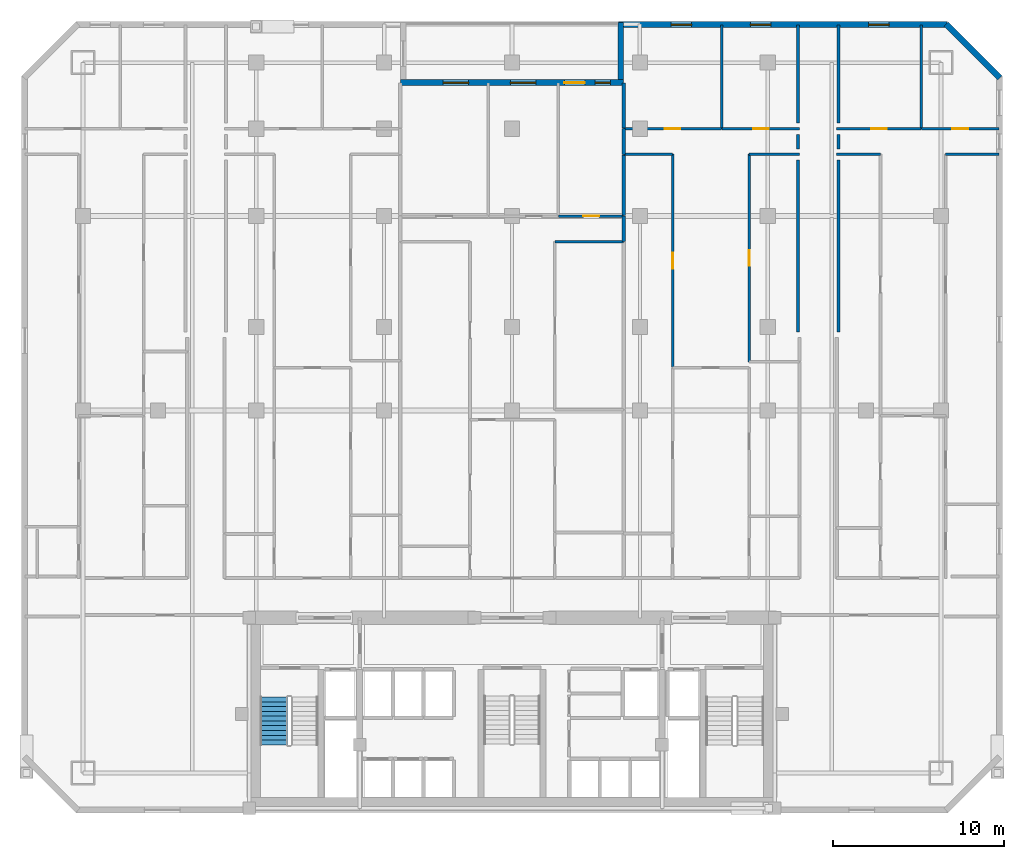
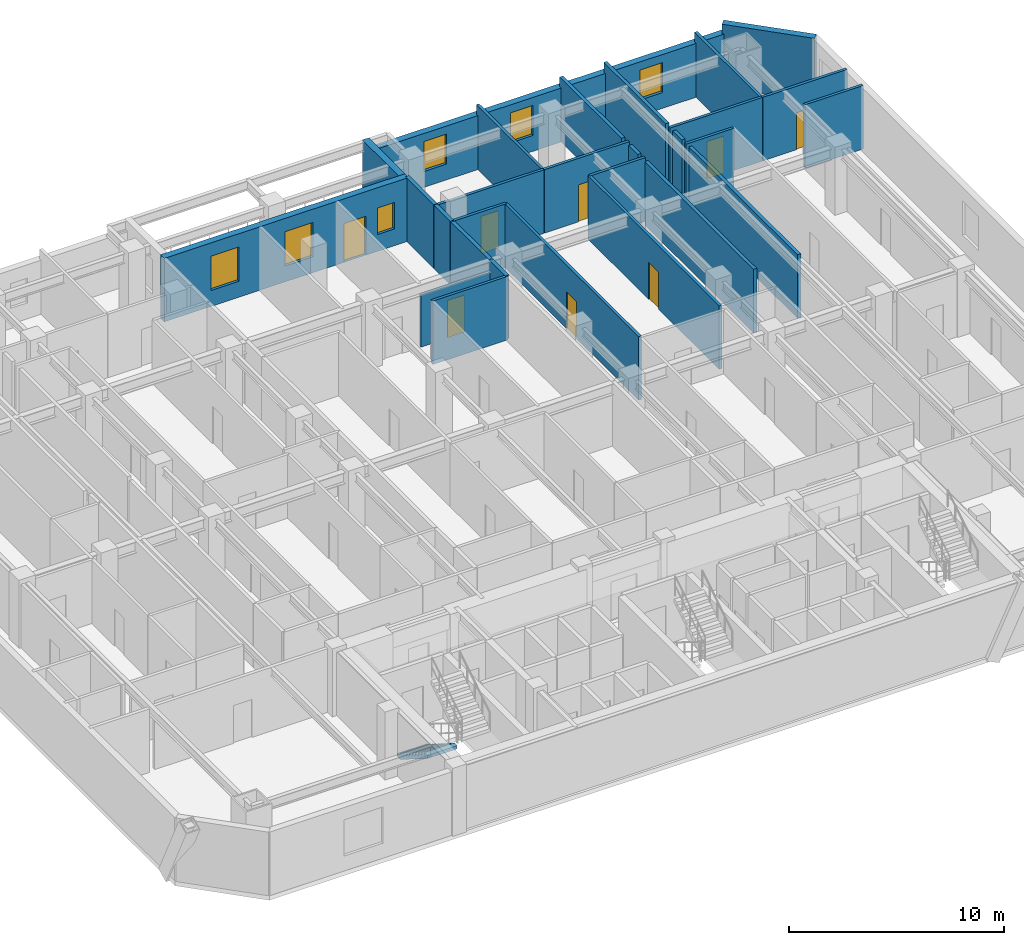
# One storey, part 8 of 10: 28 walls, 8 doors, 6 windows, 1 stair flight, 14 openings, 1 element without a shape of its own.
"""IFC4 building model written with IfcOpenShell, lengths in metres."""

import ifcopenshell
import ifcopenshell.guid

model = None  # the IFC model being written
_history = None  # IfcOwnerHistory: only IFC2X3 demands one
_inside = {}  # id of a spatial element -> (the spatial element, [elements in it])
_under = {}  # id of a project, library or spatial element -> (it, [spatial elements below it])
_declared = {}  # id of a project -> (the project, [libraries it declares])
_typed = {}  # id of a type object -> (the type object, [elements of that type])
_made_of = {}  # id of a material, layer set ... -> (it, [elements and type objects made of it])


def new_model(schema):
    """Start an empty IFC model of exactly this schema.

    Asked for "IFC4X3", IfcOpenShell would pick the latest addendum, in which some entities
    have other attributes; the version numbers below select the first issue.
    IFC2X3 requires an IfcOwnerHistory on every rooted entity: one is made here for all.
    """
    global model, _history
    if schema == "IFC4X3":
        model = ifcopenshell.file(schema_version=(4, 3, 0, 0))
    else:
        model = ifcopenshell.file(schema=schema)
    _inside.clear()
    _under.clear()
    _declared.clear()
    _typed.clear()
    _made_of.clear()
    _history = None
    if model.schema == "IFC2X3":
        org = make("IfcOrganization", Name="unknown")
        user = make(
            "IfcPersonAndOrganization",
            ThePerson=make("IfcPerson", FamilyName="unknown"),
            TheOrganization=org,
        )
        app = make(
            "IfcApplication",
            ApplicationDeveloper=org,
            Version="unknown",
            ApplicationFullName="unknown",
            ApplicationIdentifier="unknown",
        )
        _history = make(
            "IfcOwnerHistory",
            OwningUser=user,
            OwningApplication=app,
            ChangeAction="ADDED",
            CreationDate=0,
        )
    return model


def make(cls, **values):
    """One entity of the class cls with the attributes given. An attribute that is None is left unset."""
    return model.create_entity(
        cls, **{name: value for name, value in values.items() if value is not None}
    )


def rooted(cls, **values):
    """An entity with a GlobalId (a new one), such as an element, a storey or a relation."""
    return make(cls, GlobalId=ifcopenshell.guid.new(), OwnerHistory=_history, **values)


def si_unit(unit_type, name, prefix=None):
    """IfcSIUnit, for example si_unit("LENGTHUNIT", "METRE", prefix="MILLI")."""
    return make("IfcSIUnit", UnitType=unit_type, Prefix=prefix, Name=name)


def assignment(units):
    """IfcUnitAssignment: the units of a project."""
    return None if units is None else make("IfcUnitAssignment", Units=units)


def point(xyz):
    """IfcCartesianPoint."""
    return None if xyz is None else make("IfcCartesianPoint", Coordinates=xyz)


def direction(xyz):
    """IfcDirection."""
    return None if xyz is None else make("IfcDirection", DirectionRatios=xyz)


def frame(location, z_axis=None, x_axis=None):
    """IfcAxis2Placement3D, a coordinate frame: its origin and axes. An axis left out is left unset."""
    return make(
        "IfcAxis2Placement3D",
        Location=point(location),
        Axis=direction(z_axis),
        RefDirection=direction(x_axis),
    )


def frame_2d(location, x_axis=None):
    """IfcAxis2Placement2D, a coordinate frame in the plane: its origin and x axis."""
    return make(
        "IfcAxis2Placement2D", Location=point(location), RefDirection=direction(x_axis)
    )


def origin():
    """The frame at (0, 0, 0) with its axes left unset."""
    return frame((0.0, 0.0, 0.0))


def place(relative_to, where):
    """IfcLocalPlacement: puts the frame where relative to a parent placement (None: the world)."""
    return make(
        "IfcLocalPlacement", PlacementRelTo=relative_to, RelativePlacement=where
    )


def context(
    kind, dimensions, precision=None, world=None, true_north=None, identifier=None
):
    """IfcGeometricRepresentationContext, for example the 3D "Model" context."""
    return make(
        "IfcGeometricRepresentationContext",
        ContextIdentifier=identifier,
        ContextType=kind,
        CoordinateSpaceDimension=dimensions,
        Precision=precision,
        WorldCoordinateSystem=world,
        TrueNorth=true_north,
    )


def subcontext(parent, identifier, kind, view, scale=None):
    """IfcGeometricRepresentationSubContext, for example "Body" below "Model"."""
    return make(
        "IfcGeometricRepresentationSubContext",
        ContextIdentifier=identifier,
        ContextType=kind,
        ParentContext=parent,
        TargetScale=scale,
        TargetView=view,
    )


def project(units=None, contexts=None):
    """IfcProject with its units and contexts."""
    return rooted(
        "IfcProject",
        Name="project",
        RepresentationContexts=contexts,
        UnitsInContext=assignment(units),
    )


def spatial(cls, under=None, at=None, **own):
    """A site, building, storey or space (cls), placed at a placement, below another one or the project."""
    s = rooted(cls, ObjectPlacement=at, **own)
    if under is not None:
        _under.setdefault(under.id(), (under, []))[1].append(s)
    return s


def polyline(points):
    """IfcPolyline through the points."""
    return make("IfcPolyline", Points=[point(p) for p in points])


def profile(cls, at=None, kind="AREA", **sizes):
    """A parametric profile (cls). Its sizes go by their IFC names, for example OverallWidth=200.0."""
    return make(cls, ProfileType=kind, Position=at, **sizes)


def rectangle(**sizes):
    """IfcRectangleProfileDef."""
    return profile("IfcRectangleProfileDef", **sizes)


def outline(outer, holes=None, kind="AREA"):
    """IfcArbitraryClosedProfileDef: a profile drawn as a closed curve; with holes, ...WithVoids."""
    if holes is None:
        return make("IfcArbitraryClosedProfileDef", ProfileType=kind, OuterCurve=outer)
    return make(
        "IfcArbitraryProfileDefWithVoids",
        ProfileType=kind,
        OuterCurve=outer,
        InnerCurves=holes,
    )


def extrude(swept, where, along, depth):
    """IfcExtrudedAreaSolid: the profile swept, set in the frame where, extruded along a direction by depth."""
    return make(
        "IfcExtrudedAreaSolid",
        SweptArea=swept,
        Position=where,
        ExtrudedDirection=direction(along),
        Depth=depth,
    )


def shape(context_of_items, identifier, shape_type, items):
    """IfcShapeRepresentation: the items that make up one representation, for example the "Body"."""
    return make(
        "IfcShapeRepresentation",
        ContextOfItems=context_of_items,
        RepresentationIdentifier=identifier,
        RepresentationType=shape_type,
        Items=items,
    )


def material(Name=None, Category=None):
    """IfcMaterial."""
    return make("IfcMaterial", Name=Name, Category=Category)


def layer(
    of_material, thickness, ventilated=None, Name=None, Category=None, Priority=None
):
    """IfcMaterialLayer: one layer of a wall or slab, of a material (None: an air gap)."""
    return make(
        "IfcMaterialLayer",
        Material=of_material,
        LayerThickness=thickness,
        IsVentilated=ventilated,
        Name=Name,
        Category=Category,
        Priority=Priority,
    )


def layer_set(layers, Name=None):
    """IfcMaterialLayerSet."""
    return make("IfcMaterialLayerSet", MaterialLayers=layers, LayerSetName=Name)


def made_of(thing, what):
    """Note that an element or type object is made of a material, layer set ...; save() writes the relation."""
    if what is not None:
        _made_of.setdefault(what.id(), (what, []))[1].append(thing)
    return thing


def type_object(cls, material=None, **own):
    """A type object (cls), such as IfcWallType, which elements share."""
    return made_of(rooted(cls, **own), material)


def element(
    cls,
    number,
    at=None,
    inside=None,
    cuts=None,
    type_object=None,
    material=None,
    context=None,
    identifier="Body",
    shape_type=None,
    held_by="IfcProductDefinitionShape",
    body=None,
    shapes=None,
    **own,
):
    """One element of the class cls, such as IfcWall. Its Tag is "e" and its number.

    at: its placement. inside: the storey or other place that contains it. cuts: it is an
    opening in that element (IfcRelVoidsElement). A single representation is given by context,
    identifier, shape_type and body (its items); several are given by shapes. held_by: the class
    of the entity that holds the representations. save() writes the other relations.
    """
    e = rooted(cls, Tag="e%d" % number, ObjectPlacement=at, **own)
    if body is not None:
        shapes = [shape(context, identifier, shape_type, body)]
    if shapes is not None:
        e.Representation = make(held_by, Representations=shapes)
    if inside is not None:
        _inside.setdefault(inside.id(), (inside, []))[1].append(e)
    if cuts is not None:
        rooted(
            "IfcRelVoidsElement", RelatingBuildingElement=cuts, RelatedOpeningElement=e
        )
    if type_object is not None:
        _typed.setdefault(type_object.id(), (type_object, []))[1].append(e)
    return made_of(e, material)


def fill(opening, filler):
    """IfcRelFillsElement: the door or window that sits in an opening."""
    return rooted(
        "IfcRelFillsElement",
        RelatingOpeningElement=opening,
        RelatedBuildingElement=filler,
    )


def aggregate(whole, parts):
    """IfcRelAggregates: a whole, such as a stair, and the parts it consists of."""
    return rooted("IfcRelAggregates", RelatingObject=whole, RelatedObjects=parts)


def save(model, path):
    """Write the relations noted so far, then the file.

    IfcRelAggregates (storeys below a building ...), IfcRelContainedInSpatialStructure (elements
    in a storey), IfcRelDefinesByType, IfcRelAssociatesMaterial and IfcRelDeclares: one each for
    every whole, place, type object, material and project.
    """
    for whole, parts in _under.values():
        aggregate(whole, parts)
    for where, things in _inside.values():
        rooted(
            "IfcRelContainedInSpatialStructure",
            RelatedElements=things,
            RelatingStructure=where,
        )
    for kind, things in _typed.values():
        rooted("IfcRelDefinesByType", RelatedObjects=things, RelatingType=kind)
    for what, things in _made_of.values():
        rooted("IfcRelAssociatesMaterial", RelatedObjects=things, RelatingMaterial=what)
    for by, libraries in _declared.values():
        rooted("IfcRelDeclares", RelatingContext=by, RelatedDefinitions=libraries)
    model.write(path)


model = new_model("IFC4")

# Units and contexts
model_context = context("Model", 3, precision=1e-05, world=origin(), true_north=direction((0.0, 1.0)))
body_context = subcontext(model_context, "Body", "Model", "MODEL_VIEW")
ifc_project = project(units=[si_unit("LENGTHUNIT", "METRE"), si_unit("AREAUNIT", "SQUARE_METRE"), si_unit("VOLUMEUNIT", "CUBIC_METRE"), si_unit("PLANEANGLEUNIT", "RADIAN"), si_unit("MASSUNIT", "GRAM", prefix="KILO")], contexts=[model_context])

# Site, building, storey
site_placement = place(None, origin())
site = spatial("IfcSite", under=ifc_project, at=site_placement, CompositionType="ELEMENT")
building_placement = place(site_placement, origin())
building = spatial("IfcBuilding", under=site, at=building_placement, Name="Ventersveld Concourse Tower", CompositionType="ELEMENT")
storey_placement = place(building_placement, frame((0.0, 0.0, 56.75)))
storey = spatial("IfcBuildingStorey", under=building, at=storey_placement, Name="L13", CompositionType="ELEMENT", Elevation=56.75)

# Walls
ifc_material_1 = material(Name="Fire-rated autoclaved aerated masonry blockwork", Category="masonry")
ifc_layer_1 = layer(ifc_material_1, 0.179931640625)
ifc_layer_set_1 = layer_set([ifc_layer_1], Name="Fire-rated autoclaved aerated masonry blockwork")
wall_type_1 = type_object("IfcWallType", Name="WL-CORR-180", PredefinedType="PARTITIONING", material=ifc_layer_set_1)
wall_1_placement = place(storey_placement, frame((47.8798828125, 38.945068359375, 0.0), z_axis=(0.0, 0.0, 1.0), x_axis=(0.0, 1.0, 0.0)))
element("IfcWall", 1, at=wall_1_placement, inside=storey, type_object=wall_type_1, Name="L13 Room Enclosure Wall SP-L13-13NE-LIV", PredefinedType="PARTITIONING", context=body_context, shape_type="SweptSolid", body=[
    extrude(rectangle(XDim=0.849853515625, YDim=0.179931640625, at=frame_2d((0.4248046875, 0.0))), origin(), (0.0, 0.0, 1.0), 3.60009765625),
])
wall_2_placement = place(storey_placement, frame((47.8798828125, 28.2099609375, 0.0), z_axis=(0.0, 0.0, 1.0), x_axis=(0.0, 1.0, 0.0)))
element("IfcWall", 2, at=wall_2_placement, inside=storey, type_object=wall_type_1, Name="L13 Room Enclosure Wall SP-L13-13NE-SEML0", PredefinedType="PARTITIONING", context=body_context, shape_type="SweptSolid", body=[
    extrude(rectangle(XDim=10.0849609375, YDim=0.179931640625, at=frame_2d((5.04248046875, 0.0))), origin(), (0.0, 0.0, 1.0), 3.60009765625),
])
wall_3_placement = place(storey_placement, frame((47.8798828125, 40.445068359375, 0.0), z_axis=(0.0, 0.0, 1.0), x_axis=(0.0, 1.0, 0.0)))
element("IfcWall", 3, at=wall_3_placement, inside=storey, type_object=wall_type_1, Name="L13 Room Enclosure Wall SP-L13-13NE-BR1", PredefinedType="PARTITIONING", context=body_context, shape_type="SweptSolid", body=[
    extrude(rectangle(XDim=5.744873046875, YDim=0.179931640625, at=frame_2d((2.87255859375, 0.0))), origin(), (0.0, 0.0, 1.0), 3.60009765625),
])
wall_4_placement = place(storey_placement, frame((45.52001953125, 39.794921875, 0.0), z_axis=(0.0, 0.0, 1.0), x_axis=(0.0, -1.0, 0.0)))
element("IfcWall", 4, at=wall_4_placement, inside=storey, type_object=wall_type_1, Name="L13 Room Enclosure Wall SP-L13-13CE-LIV", PredefinedType="PARTITIONING", context=body_context, shape_type="SweptSolid", body=[
    extrude(rectangle(XDim=0.849853515625, YDim=0.179931640625, at=frame_2d((0.4248046875, 0.0))), origin(), (0.0, 0.0, 1.0), 3.60009765625),
])
wall_5_placement = place(storey_placement, frame((45.52001953125, 38.294921875, 0.0), z_axis=(0.0, 0.0, 1.0), x_axis=(0.0, -1.0, 0.0)))
element("IfcWall", 5, at=wall_5_placement, inside=storey, type_object=wall_type_1, Name="L13 Room Enclosure Wall SP-L13-13CE-DENS", PredefinedType="PARTITIONING", context=body_context, shape_type="SweptSolid", body=[
    extrude(rectangle(XDim=10.0849609375, YDim=0.179931640625, at=frame_2d((5.04248046875, 0.0))), origin(), (0.0, 0.0, 1.0), 3.60009765625),
])
wall_6_placement = place(storey_placement, frame((45.52001953125, 46.18994140625, 0.0), z_axis=(0.0, 0.0, 1.0), x_axis=(0.0, -1.0, 0.0)))
element("IfcWall", 6, at=wall_6_placement, inside=storey, type_object=wall_type_1, Name="L13 Room Enclosure Wall SP-L13-13CE-BR2", PredefinedType="PARTITIONING", context=body_context, shape_type="SweptSolid", body=[
    extrude(rectangle(XDim=5.744873046875, YDim=0.179931640625, at=frame_2d((2.87255859375, 0.0))), origin(), (0.0, 0.0, 1.0), 3.60009765625),
])
ifc_layer_2 = layer(ifc_material_1, 0.199951171875)
ifc_layer_set_2 = layer_set([ifc_layer_2], Name="Fire-rated autoclaved aerated masonry blockwork")
wall_type_2 = type_object("IfcWallType", Name="WL-DEMISE-200", PredefinedType="PARTITIONING", material=ifc_layer_set_2)
wall_7_placement = place(storey_placement, frame((35.2900390625, 38.614990234375, 0.0), z_axis=(0.0, 0.0, 1.0), x_axis=(0.0, 1.0, 0.0)))
element("IfcWall", 7, at=wall_7_placement, inside=storey, type_object=wall_type_2, Name="L13 Interior Partition SP-L13-13CE-LIV-SP-L13-13CM-BR3", PredefinedType="PARTITIONING", context=body_context, shape_type="SweptSolid", body=[
    extrude(rectangle(XDim=1.510009765625, YDim=0.199951171875, at=frame_2d((0.7548828125, 0.0))), origin(), (0.0, 0.0, 1.0), 3.60009765625),
])
wall_8_placement = place(storey_placement, frame((35.2900390625, 33.4951171875, 0.0), z_axis=(0.0, 0.0, 1.0), x_axis=(0.0, 1.0, 0.0)))
element("IfcWall", 8, at=wall_8_placement, inside=storey, type_object=wall_type_2, Name="L13 Interior Partition SP-L13-13CE-DENL-SP-L13-13CM-LIV", PredefinedType="PARTITIONING", context=body_context, shape_type="SweptSolid", body=[
    extrude(rectangle(XDim=1.509765625, YDim=0.199951171875, at=frame_2d((0.7548828125, 0.0))), origin(), (0.0, 0.0, 1.0), 3.60009765625),
])
wall_9_placement = place(storey_placement, frame((35.2900390625, 35.034912109375, 0.0), z_axis=(0.0, 0.0, 1.0), x_axis=(0.0, 1.0, 0.0)))
element("IfcWall", 9, at=wall_9_placement, inside=storey, type_object=wall_type_2, Name="L13 Interior Partition SP-L13-13CE-DENL-SP-L13-13CM-BR3", PredefinedType="PARTITIONING", context=body_context, shape_type="SweptSolid", body=[
    extrude(rectangle(XDim=3.550048828125, YDim=0.199951171875, at=frame_2d((1.77490234375, 0.0))), origin(), (0.0, 0.0, 1.0), 3.60009765625),
])
wall_10_placement = place(storey_placement, frame((35.2900390625, 40.155029296875, 0.0), z_axis=(0.0, 0.0, 1.0), x_axis=(0.0, 1.0, 0.0)))
element("IfcWall", 10, at=wall_10_placement, inside=storey, type_object=wall_type_2, Name="L13 Interior Partition SP-L13-13CE-BR1-SP-L13-13CM-BR3", PredefinedType="PARTITIONING", context=body_context, shape_type="SweptSolid", body=[
    extrude(rectangle(XDim=2.635009765625, YDim=0.199951171875, at=frame_2d((1.3173828125, 0.0))), origin(), (0.0, 0.0, 1.0), 3.60009765625),
])
ifc_material_2 = material(Name="Autoclaved aerated masonry blockwork", Category="masonry")
ifc_layer_3 = layer(ifc_material_2, 0.14990234375)
ifc_layer_set_3 = layer_set([ifc_layer_3], Name="Autoclaved aerated masonry blockwork")
wall_type_3 = type_object("IfcWallType", Name="WL-INT-150", PredefinedType="PARTITIONING", material=ifc_layer_set_3)
wall_11_placement = place(storey_placement, frame((47.784912109375, 38.6201171875, 0.0), z_axis=(0.0, 0.0, 1.0), x_axis=(1.0, 0.0, 0.0)))
element("IfcWall", 11, at=wall_11_placement, inside=storey, type_object=wall_type_3, Name="L13 Interior Partition SP-L13-13NE-LIV-SP-L13-13NE-SEML0", PredefinedType="PARTITIONING", context=body_context, shape_type="SweptSolid", body=[
    extrude(rectangle(XDim=2.5751953125, YDim=0.14990234375, at=frame_2d((1.28759765625, 0.0))), origin(), (0.0, 0.0, 1.0), 3.60009765625),
])
wall_12_placement = place(storey_placement, frame((54.172119140625, 38.6201171875, 0.0), z_axis=(0.0, 0.0, 1.0), x_axis=(1.0, 0.0, 0.0)))
element("IfcWall", 12, at=wall_12_placement, inside=storey, type_object=wall_type_3, Name="L13 Interior Partition SP-L13-13NE-LIV-SP-L13-13NE-DENR", PredefinedType="PARTITIONING", context=body_context, shape_type="SweptSolid", body=[
    extrude(rectangle(XDim=3.117919921875, YDim=0.14990234375, at=frame_2d((1.55908203125, 0.0))), origin(), (0.0, 0.0, 1.0), 3.60009765625),
])

# Wall, opening, door
wall_13_placement = place(storey_placement, frame((47.784912109375, 40.1201171875, 0.0), z_axis=(0.0, 0.0, 1.0), x_axis=(1.0, 0.0, 0.0)))
wall_13 = element("IfcWall", 13, at=wall_13_placement, inside=storey, type_object=wall_type_3, Name="L13 Interior Partition SP-L13-13NE-LIV-SP-L13-13NE-BR1", PredefinedType="PARTITIONING", context=body_context, shape_type="SweptSolid", body=[
    extrude(rectangle(XDim=4.951171875, YDim=0.14990234375, at=frame_2d((2.4755859375, 0.0))), origin(), (0.0, 0.0, 1.0), 3.60009765625),
])
opening_1_placement = place(wall_13_placement, frame((2.015625, 0.0, 0.0)))
opening_1 = element("IfcOpeningElement", 14, at=opening_1_placement, cuts=wall_13, Name="Opening ID1", PredefinedType="OPENING", context=body_context, shape_type="SweptSolid", body=[
    extrude(rectangle(XDim=0.919921875, YDim=2.10009765625, at=frame_2d((0.4599609375, 1.050048828125))), frame((0.0, 0.0849609375, 0.0), z_axis=(0.0, -1.0, 0.0), x_axis=(1.0, 0.0, 0.0)), (0.0, 0.0, 1.0), 0.169921875),
])
ifc_material_3 = material(Name="Solid-core hardwood veneer timber", Category="wood")
door_type_1 = type_object("IfcDoorType", Name="DR-ROOM-092", OperationType="NOTDEFINED", PredefinedType="DOOR", material=ifc_material_3)
door_1_placement = place(opening_1_placement, origin())
door_1 = element("IfcDoor", 15, at=door_1_placement, inside=storey, type_object=door_type_1, Name="L13 Interior Door SP-L13-13NE-LIV to SP-L13-13NE-BR1 (D-L13-0566)", OperationType="SINGLE_SWING_RIGHT", OverallHeight=2.10009765625, OverallWidth=0.919921875, PredefinedType="DOOR", context=body_context, shape_type="SweptSolid", body=[
    extrude(rectangle(XDim=0.919921875, YDim=2.10009765625, at=frame_2d((0.4599609375, 1.050048828125))), frame((0.0, 0.02490234375, 0.0), z_axis=(0.0, -1.0, 0.0), x_axis=(1.0, 0.0, 0.0)), (0.0, 0.0, 1.0), 0.050048828125),
])
fill(opening_1, door_1)

wall_14_placement = place(storey_placement, frame((52.76611328125, 40.1201171875, 0.0), z_axis=(0.0, 0.0, 1.0), x_axis=(1.0, 0.0, 0.0)))
wall_14 = element("IfcWall", 16, at=wall_14_placement, inside=storey, type_object=wall_type_3, Name="L13 Interior Partition SP-L13-13NE-LIV-SP-L13-13NE-BR2", PredefinedType="PARTITIONING", context=body_context, shape_type="SweptSolid", body=[
    extrude(rectangle(XDim=4.52392578125, YDim=0.14990234375, at=frame_2d((2.261962890625, 0.0))), origin(), (0.0, 0.0, 1.0), 3.60009765625),
])
opening_2_placement = place(wall_14_placement, frame((1.802001953125, 0.0, 0.0)))
opening_2 = element("IfcOpeningElement", 17, at=opening_2_placement, cuts=wall_14, Name="Opening ID1", PredefinedType="OPENING", context=body_context, shape_type="SweptSolid", body=[
    extrude(rectangle(XDim=0.919921875, YDim=2.10009765625, at=frame_2d((0.4599609375, 1.050048828125))), frame((0.0, 0.0849609375, 0.0), z_axis=(0.0, -1.0, 0.0), x_axis=(1.0, 0.0, 0.0)), (0.0, 0.0, 1.0), 0.169921875),
])
door_2_placement = place(opening_2_placement, origin())
door_2 = element("IfcDoor", 18, at=door_2_placement, inside=storey, type_object=door_type_1, Name="L13 Interior Door SP-L13-13NE-LIV to SP-L13-13NE-BR2 (D-L13-0567)", OperationType="SINGLE_SWING_LEFT", OverallHeight=2.10009765625, OverallWidth=0.919921875, PredefinedType="DOOR", context=body_context, shape_type="SweptSolid", body=[
    extrude(rectangle(XDim=0.919921875, YDim=2.10009765625, at=frame_2d((0.4599609375, 1.050048828125))), frame((0.0, 0.02490234375, 0.0), z_axis=(0.0, -1.0, 0.0), x_axis=(1.0, 0.0, 0.0)), (0.0, 0.0, 1.0), 0.050048828125),
])
fill(opening_2, door_2)

# Wall
wall_15_placement = place(storey_placement, frame((52.731201171875, 40.114990234375, 0.0), z_axis=(0.0, 0.0, 1.0), x_axis=(0.0, 1.0, 0.0)))
element("IfcWall", 19, at=wall_15_placement, inside=storey, type_object=wall_type_3, Name="L13 Interior Partition SP-L13-13NE-BR1-SP-L13-13NE-BR2", PredefinedType="PARTITIONING", context=body_context, shape_type="SweptSolid", body=[
    extrude(rectangle(XDim=6.074951171875, YDim=0.14990234375, at=frame_2d((3.03759765625, 0.0))), origin(), (0.0, 0.0, 1.0), 3.60009765625),
])

# Wall, opening, door
wall_16_placement = place(storey_placement, frame((38.16552734375, 26.146728515625, 0.0), z_axis=(0.0, 0.0, 1.0), x_axis=(0.0, 1.0, 0.0)))
wall_16 = element("IfcWall", 20, at=wall_16_placement, inside=storey, type_object=wall_type_3, Name="L13 Interior Partition SP-L13-13CE-LIV-SP-L13-13CE-DENL", PredefinedType="PARTITIONING", context=body_context, shape_type="SweptSolid", body=[
    extrude(rectangle(XDim=12.478271484375, YDim=0.14990234375, at=frame_2d((6.2392578125, 0.0))), origin(), (0.0, 0.0, 1.0), 3.60009765625),
])
opening_3_placement = place(wall_16_placement, frame((5.779052734375, 0.0, 0.0)))
opening_3 = element("IfcOpeningElement", 21, at=opening_3_placement, cuts=wall_16, Name="Opening ID1", PredefinedType="OPENING", context=body_context, shape_type="SweptSolid", body=[
    extrude(rectangle(XDim=0.919921875, YDim=2.10009765625, at=frame_2d((0.4599609375, 1.050048828125))), frame((0.0, 0.0849609375, 0.0), z_axis=(0.0, -1.0, 0.0), x_axis=(1.0, 0.0, 0.0)), (0.0, 0.0, 1.0), 0.169921875),
])
door_3_placement = place(opening_3_placement, origin())
door_3 = element("IfcDoor", 22, at=door_3_placement, inside=storey, type_object=door_type_1, Name="L13 Interior Door SP-L13-13CE-LIV to SP-L13-13CE-DENL (D-L13-0582)", OperationType="SINGLE_SWING_RIGHT", OverallHeight=2.10009765625, OverallWidth=0.919921875, PredefinedType="DOOR", context=body_context, shape_type="SweptSolid", body=[
    extrude(rectangle(XDim=0.919921875, YDim=2.10009765625, at=frame_2d((0.4599609375, 1.050048828125))), frame((0.0, 0.02490234375, 0.0), z_axis=(0.0, -1.0, 0.0), x_axis=(1.0, 0.0, 0.0)), (0.0, 0.0, 1.0), 0.050048828125),
])
fill(opening_3, door_3)

# Wall
wall_17_placement = place(storey_placement, frame((35.284912109375, 38.6201171875, 0.0), z_axis=(0.0, 0.0, 1.0), x_axis=(1.0, 0.0, 0.0)))
element("IfcWall", 23, at=wall_17_placement, inside=storey, type_object=wall_type_3, Name="L13 Interior Partition SP-L13-13CE-LIV-SP-L13-13CE-DENL", PredefinedType="PARTITIONING", context=body_context, shape_type="SweptSolid", body=[
    extrude(rectangle(XDim=2.8857421875, YDim=0.14990234375, at=frame_2d((1.44287109375, 0.0))), origin(), (0.0, 0.0, 1.0), 3.60009765625),
])

# Wall, opening, door
wall_18_placement = place(storey_placement, frame((42.64990234375, 26.452392578125, 0.0), z_axis=(0.0, 0.0, 1.0), x_axis=(0.0, 1.0, 0.0)))
wall_18 = element("IfcWall", 24, at=wall_18_placement, inside=storey, type_object=wall_type_3, Name="L13 Interior Partition SP-L13-13CE-LIV-SP-L13-13CE-DENS", PredefinedType="PARTITIONING", context=body_context, shape_type="SweptSolid", body=[
    extrude(rectangle(XDim=12.172607421875, YDim=0.14990234375, at=frame_2d((6.08642578125, 0.0))), origin(), (0.0, 0.0, 1.0), 3.60009765625),
])
opening_4_placement = place(wall_18_placement, frame((5.626220703125, 0.0, 0.0)))
opening_4 = element("IfcOpeningElement", 25, at=opening_4_placement, cuts=wall_18, Name="Opening ID1", PredefinedType="OPENING", context=body_context, shape_type="SweptSolid", body=[
    extrude(rectangle(XDim=0.919921875, YDim=2.10009765625, at=frame_2d((0.4599609375, 1.050048828125))), frame((0.0, 0.0849609375, 0.0), z_axis=(0.0, -1.0, 0.0), x_axis=(1.0, 0.0, 0.0)), (0.0, 0.0, 1.0), 0.169921875),
])
door_4_placement = place(opening_4_placement, origin())
door_4 = element("IfcDoor", 26, at=door_4_placement, inside=storey, type_object=door_type_1, Name="L13 Interior Door SP-L13-13CE-LIV to SP-L13-13CE-DENS (D-L13-0583)", OperationType="SINGLE_SWING_LEFT", OverallHeight=2.10009765625, OverallWidth=0.919921875, PredefinedType="DOOR", context=body_context, shape_type="SweptSolid", body=[
    extrude(rectangle(XDim=0.919921875, YDim=2.10009765625, at=frame_2d((0.4599609375, 1.050048828125))), frame((0.0, 0.02490234375, 0.0), z_axis=(0.0, -1.0, 0.0), x_axis=(1.0, 0.0, 0.0)), (0.0, 0.0, 1.0), 0.050048828125),
])
fill(opening_4, door_4)

# Wall
wall_19_placement = place(storey_placement, frame((42.64501953125, 38.6201171875, 0.0), z_axis=(0.0, 0.0, 1.0), x_axis=(1.0, 0.0, 0.0)))
element("IfcWall", 27, at=wall_19_placement, inside=storey, type_object=wall_type_3, Name="L13 Interior Partition SP-L13-13CE-LIV-SP-L13-13CE-DENS", PredefinedType="PARTITIONING", context=body_context, shape_type="SweptSolid", body=[
    extrude(rectangle(XDim=2.969970703125, YDim=0.14990234375, at=frame_2d((1.48486328125, 0.0))), origin(), (0.0, 0.0, 1.0), 3.60009765625),
])

# Wall, opening, door
wall_20_placement = place(storey_placement, frame((35.284912109375, 40.1201171875, 0.0), z_axis=(0.0, 0.0, 1.0), x_axis=(1.0, 0.0, 0.0)))
wall_20 = element("IfcWall", 28, at=wall_20_placement, inside=storey, type_object=wall_type_3, Name="L13 Interior Partition SP-L13-13CE-LIV-SP-L13-13CE-BR1", PredefinedType="PARTITIONING", context=body_context, shape_type="SweptSolid", body=[
    extrude(rectangle(XDim=5.756103515625, YDim=0.14990234375, at=frame_2d((2.8779296875, 0.0))), origin(), (0.0, 0.0, 1.0), 3.60009765625),
])
opening_5_placement = place(wall_20_placement, frame((2.41796875, 0.0, 0.0)))
opening_5 = element("IfcOpeningElement", 29, at=opening_5_placement, cuts=wall_20, Name="Opening ID1", PredefinedType="OPENING", context=body_context, shape_type="SweptSolid", body=[
    extrude(rectangle(XDim=0.919921875, YDim=2.10009765625, at=frame_2d((0.4599609375, 1.050048828125))), frame((0.0, 0.0849609375, 0.0), z_axis=(0.0, -1.0, 0.0), x_axis=(1.0, 0.0, 0.0)), (0.0, 0.0, 1.0), 0.169921875),
])
door_5_placement = place(opening_5_placement, origin())
door_5 = element("IfcDoor", 30, at=door_5_placement, inside=storey, type_object=door_type_1, Name="L13 Interior Door SP-L13-13CE-LIV to SP-L13-13CE-BR1 (D-L13-0584)", OperationType="SINGLE_SWING_RIGHT", OverallHeight=2.10009765625, OverallWidth=0.919921875, PredefinedType="DOOR", context=body_context, shape_type="SweptSolid", body=[
    extrude(rectangle(XDim=0.919921875, YDim=2.10009765625, at=frame_2d((0.4599609375, 1.050048828125))), frame((0.0, 0.02490234375, 0.0), z_axis=(0.0, -1.0, 0.0), x_axis=(1.0, 0.0, 0.0)), (0.0, 0.0, 1.0), 0.050048828125),
])
fill(opening_5, door_5)

wall_21_placement = place(storey_placement, frame((41.07080078125, 40.1201171875, 0.0), z_axis=(0.0, 0.0, 1.0), x_axis=(1.0, 0.0, 0.0)))
wall_21 = element("IfcWall", 31, at=wall_21_placement, inside=storey, type_object=wall_type_3, Name="L13 Interior Partition SP-L13-13CE-LIV-SP-L13-13CE-BR2", PredefinedType="PARTITIONING", context=body_context, shape_type="SweptSolid", body=[
    extrude(rectangle(XDim=4.544189453125, YDim=0.14990234375, at=frame_2d((2.27197265625, 0.0))), origin(), (0.0, 0.0, 1.0), 3.60009765625),
])
opening_6_placement = place(wall_21_placement, frame((1.81201171875, 0.0, 0.0)))
opening_6 = element("IfcOpeningElement", 32, at=opening_6_placement, cuts=wall_21, Name="Opening ID1", PredefinedType="OPENING", context=body_context, shape_type="SweptSolid", body=[
    extrude(rectangle(XDim=0.919921875, YDim=2.10009765625, at=frame_2d((0.4599609375, 1.050048828125))), frame((0.0, 0.0849609375, 0.0), z_axis=(0.0, -1.0, 0.0), x_axis=(1.0, 0.0, 0.0)), (0.0, 0.0, 1.0), 0.169921875),
])
door_6_placement = place(opening_6_placement, origin())
door_6 = element("IfcDoor", 33, at=door_6_placement, inside=storey, type_object=door_type_1, Name="L13 Interior Door SP-L13-13CE-LIV to SP-L13-13CE-BR2 (D-L13-0585)", OperationType="SINGLE_SWING_LEFT", OverallHeight=2.10009765625, OverallWidth=0.919921875, PredefinedType="DOOR", context=body_context, shape_type="SweptSolid", body=[
    extrude(rectangle(XDim=0.919921875, YDim=2.10009765625, at=frame_2d((0.4599609375, 1.050048828125))), frame((0.0, 0.02490234375, 0.0), z_axis=(0.0, -1.0, 0.0), x_axis=(1.0, 0.0, 0.0)), (0.0, 0.0, 1.0), 0.050048828125),
])
fill(opening_6, door_6)

# Walls
wall_22_placement = place(storey_placement, frame((41.035888671875, 40.114990234375, 0.0), z_axis=(0.0, 0.0, 1.0), x_axis=(0.0, 1.0, 0.0)))
element("IfcWall", 34, at=wall_22_placement, inside=storey, type_object=wall_type_3, Name="L13 Interior Partition SP-L13-13CE-BR1-SP-L13-13CE-BR2", PredefinedType="PARTITIONING", context=body_context, shape_type="SweptSolid", body=[
    extrude(rectangle(XDim=6.074951171875, YDim=0.14990234375, at=frame_2d((3.03759765625, 0.0))), origin(), (0.0, 0.0, 1.0), 3.60009765625),
])
wall_23_placement = place(storey_placement, frame((31.26171875, 33.5, 0.0), z_axis=(0.0, 0.0, 1.0), x_axis=(1.0, 0.0, 0.0)))
element("IfcWall", 35, at=wall_23_placement, inside=storey, type_object=wall_type_3, Name="L13 Interior Partition SP-L13-13CM-LIV-SP-L13-13CM-DENS", PredefinedType="PARTITIONING", context=body_context, shape_type="SweptSolid", body=[
    extrude(rectangle(XDim=4.033203125, YDim=0.14990234375, at=frame_2d((2.0166015625, 0.0))), origin(), (0.0, 0.0, 1.0), 3.60009765625),
])

# Wall, opening, door
wall_24_placement = place(storey_placement, frame((31.487548828125, 35.0, 0.0), z_axis=(0.0, 0.0, 1.0), x_axis=(1.0, 0.0, 0.0)))
wall_24 = element("IfcWall", 36, at=wall_24_placement, inside=storey, type_object=wall_type_3, Name="L13 Interior Partition SP-L13-13CM-LIV-SP-L13-13CM-BR3", PredefinedType="PARTITIONING", context=body_context, shape_type="SweptSolid", body=[
    extrude(rectangle(XDim=3.807373046875, YDim=0.14990234375, at=frame_2d((1.90380859375, 0.0))), origin(), (0.0, 0.0, 1.0), 2.964111328125),
])
opening_7_placement = place(wall_24_placement, frame((1.44384765625, 0.0, 0.0)))
opening_7 = element("IfcOpeningElement", 37, at=opening_7_placement, cuts=wall_24, Name="Opening ID1", PredefinedType="OPENING", context=body_context, shape_type="SweptSolid", body=[
    extrude(rectangle(XDim=0.919921875, YDim=2.10009765625, at=frame_2d((0.4599609375, 1.050048828125))), frame((0.0, 0.0849609375, 0.0), z_axis=(0.0, -1.0, 0.0), x_axis=(1.0, 0.0, 0.0)), (0.0, 0.0, 1.0), 0.169921875),
])
door_7_placement = place(opening_7_placement, origin())
door_7 = element("IfcDoor", 38, at=door_7_placement, inside=storey, type_object=door_type_1, Name="L13 Interior Door SP-L13-13CM-LIV to SP-L13-13CM-BR3 (D-L13-0595)", OperationType="SINGLE_SWING_LEFT", OverallHeight=2.10009765625, OverallWidth=0.919921875, PredefinedType="DOOR", context=body_context, shape_type="SweptSolid", body=[
    extrude(rectangle(XDim=0.919921875, YDim=2.10009765625, at=frame_2d((0.4599609375, 1.050048828125))), frame((0.0, 0.02490234375, 0.0), z_axis=(0.0, -1.0, 0.0), x_axis=(1.0, 0.0, 0.0)), (0.0, 0.0, 1.0), 0.050048828125),
])
fill(opening_7, door_7)

# Wall
ifc_material_4 = material(Name="Precast concrete C45/55", Category="concrete")
ifc_layer_4 = layer(ifc_material_4, 0.35009765625)
ifc_layer_set_4 = layer_set([ifc_layer_4], Name="Precast concrete C45/55")
wall_type_4 = type_object("IfcWallType", Name="WL-PREC-350", PredefinedType="SOLIDWALL", material=ifc_layer_set_4)
wall_25_placement = place(storey_placement, frame((57.347900390625, 43.1044921875, 0.0), z_axis=(0.0, 0.0, 1.0), x_axis=(-0.707079321262, 0.707134240044, 0.0)))
element("IfcWall", 39, at=wall_25_placement, inside=storey, type_object=wall_type_4, Name="L13 Highveld Precast Facade Wall E04", PredefinedType="SOLIDWALL", context=body_context, shape_type="SweptSolid", body=[
    extrude(rectangle(XDim=4.445556640625, YDim=0.35009765625, at=frame_2d((2.22265625, 0.0))), origin(), (0.0, 0.0, 1.0), 3.60009765625),
])

# Wall, openings, windows
wall_26_placement = place(storey_placement, frame((54.260009765625, 46.22509765625, 0.0), z_axis=(0.0, 0.0, 1.0), x_axis=(-1.0, 0.0, 0.0)))
wall_26 = element("IfcWall", 40, at=wall_26_placement, inside=storey, type_object=wall_type_4, Name="L13 Highveld Precast Facade Wall E05", PredefinedType="SOLIDWALL", context=body_context, shape_type="SweptSolid", body=[
    extrude(rectangle(XDim=19.27001953125, YDim=0.35009765625, at=frame_2d((9.635009765625, 0.0))), origin(), (0.0, 0.0, 1.0), 3.055419921875),
])
opening_8_placement = place(wall_26_placement, frame((3.3994140625, 0.0, 0.89990234375)))
opening_8 = element("IfcOpeningElement", 41, at=opening_8_placement, cuts=wall_26, Name="Opening W3", PredefinedType="OPENING", context=body_context, shape_type="SweptSolid", body=[
    extrude(rectangle(XDim=1.199951171875, YDim=1.699951171875, at=frame_2d((0.60009765625, 0.85009765625))), frame((0.0, 0.18505859375, 0.0), z_axis=(0.0, -1.0, 0.0), x_axis=(1.0, 0.0, 0.0)), (0.0, 0.0, 1.0), 0.3701171875),
])
opening_9_placement = place(wall_26_placement, frame((14.9794921875, 0.0, 0.89990234375)))
opening_9 = element("IfcOpeningElement", 42, at=opening_9_placement, cuts=wall_26, Name="Opening W3", PredefinedType="OPENING", context=body_context, shape_type="SweptSolid", body=[
    extrude(rectangle(XDim=1.199951171875, YDim=1.699951171875, at=frame_2d((0.60009765625, 0.85009765625))), frame((0.0, 0.18505859375, 0.0), z_axis=(0.0, -1.0, 0.0), x_axis=(1.0, 0.0, 0.0)), (0.0, 0.0, 1.0), 0.3701171875),
])
opening_10_placement = place(wall_26_placement, frame((10.3369140625, 0.0, 0.89990234375)))
opening_10 = element("IfcOpeningElement", 43, at=opening_10_placement, cuts=wall_26, Name="Opening W3", PredefinedType="OPENING", context=body_context, shape_type="SweptSolid", body=[
    extrude(rectangle(XDim=1.199951171875, YDim=1.699951171875, at=frame_2d((0.60009765625, 0.85009765625))), frame((0.0, 0.18505859375, 0.0), z_axis=(0.0, -1.0, 0.0), x_axis=(1.0, 0.0, 0.0)), (0.0, 0.0, 1.0), 0.3701171875),
])
ifc_material_5 = material(Name="Tempered acoustic Low-E IGU", Category="glass")
window_type_1 = type_object("IfcWindowType", Name="WIN-120x180", PartitioningType="SINGLE_PANEL", PredefinedType="WINDOW", material=ifc_material_5)
window_1_placement = place(opening_8_placement, origin())
window_1 = element("IfcWindow", 44, at=window_1_placement, inside=storey, type_object=window_type_1, Name="L13 Punched Low-E Window W-0100", OverallHeight=1.699951171875, OverallWidth=1.199951171875, PartitioningType="SINGLE_PANEL", PredefinedType="WINDOW", context=body_context, shape_type="SweptSolid", body=[
    extrude(rectangle(XDim=1.199951171875, YDim=1.699951171875, at=frame_2d((0.60009765625, 0.85009765625))), frame((0.0, 0.030029296875, 0.0), z_axis=(0.0, -1.0, 0.0), x_axis=(1.0, 0.0, 0.0)), (0.0, 0.0, 1.0), 0.06005859375),
])
fill(opening_8, window_1)
window_2_placement = place(opening_9_placement, origin())
window_2 = element("IfcWindow", 45, at=window_2_placement, inside=storey, type_object=window_type_1, Name="L13 Punched Low-E Window W-0104", OverallHeight=1.699951171875, OverallWidth=1.199951171875, PartitioningType="SINGLE_PANEL", PredefinedType="WINDOW", context=body_context, shape_type="SweptSolid", body=[
    extrude(rectangle(XDim=1.199951171875, YDim=1.699951171875, at=frame_2d((0.60009765625, 0.85009765625))), frame((0.0, 0.030029296875, 0.0), z_axis=(0.0, -1.0, 0.0), x_axis=(1.0, 0.0, 0.0)), (0.0, 0.0, 1.0), 0.06005859375),
])
fill(opening_9, window_2)
window_3_placement = place(opening_10_placement, origin())
window_3 = element("IfcWindow", 46, at=window_3_placement, inside=storey, type_object=window_type_1, Name="L13 Punched Low-E Window W-0105", OverallHeight=1.699951171875, OverallWidth=1.199951171875, PartitioningType="SINGLE_PANEL", PredefinedType="WINDOW", context=body_context, shape_type="SweptSolid", body=[
    extrude(rectangle(XDim=1.199951171875, YDim=1.699951171875, at=frame_2d((0.60009765625, 0.85009765625))), frame((0.0, 0.030029296875, 0.0), z_axis=(0.0, -1.0, 0.0), x_axis=(1.0, 0.0, 0.0)), (0.0, 0.0, 1.0), 0.06005859375),
])
fill(opening_10, window_3)

# Wall
wall_27_placement = place(storey_placement, frame((35.125, 46.360107421875, 0.0), z_axis=(0.0, 0.0, 1.0), x_axis=(0.0, -1.0, 0.0)))
element("IfcWall", 47, at=wall_27_placement, inside=storey, type_object=wall_type_4, Name="L13 Highveld Precast Facade Wall E06", PredefinedType="SOLIDWALL", context=body_context, shape_type="SweptSolid", body=[
    extrude(rectangle(XDim=3.360107421875, YDim=0.35009765625, at=frame_2d((1.68017578125, 0.0))), origin(), (0.0, 0.0, 1.0), 3.60009765625),
])

# Wall, openings, door, windows
wall_28_placement = place(storey_placement, frame((35.300048828125, 42.824951171875, 0.0), z_axis=(0.0, 0.0, 1.0), x_axis=(-1.0, 0.0, 0.0)))
wall_28 = element("IfcWall", 48, at=wall_28_placement, inside=storey, type_object=wall_type_4, Name="L13 Highveld Precast Facade Wall E07", PredefinedType="SOLIDWALL", context=body_context, shape_type="SweptSolid", body=[
    extrude(rectangle(XDim=13.10009765625, YDim=0.35009765625, at=frame_2d((6.550048828125, 0.0))), origin(), (0.0, 0.0, 1.0), 3.60009765625),
])
opening_11_placement = place(wall_28_placement, frame((2.281982421875, 0.0, 0.0)))
opening_11 = element("IfcOpeningElement", 49, at=opening_11_placement, cuts=wall_28, Name="Opening TD1", PredefinedType="OPENING", context=body_context, shape_type="SweptSolid", body=[
    extrude(rectangle(XDim=1.199951171875, YDim=2.199951171875, at=frame_2d((0.60009765625, 1.10009765625))), frame((0.0, 0.18505859375, 0.0), z_axis=(0.0, -1.0, 0.0), x_axis=(1.0, 0.0, 0.0)), (0.0, 0.0, 1.0), 0.3701171875),
])
opening_12_placement = place(wall_28_placement, frame((9.089599609375, 0.0, 0.89990234375)))
opening_12 = element("IfcOpeningElement", 50, at=opening_12_placement, cuts=wall_28, Name="Opening W1", PredefinedType="OPENING", context=body_context, shape_type="SweptSolid", body=[
    extrude(rectangle(XDim=1.5, YDim=1.949951171875, at=frame_2d((0.75, 0.97509765625))), frame((0.0, 0.18505859375, 0.0), z_axis=(0.0, -1.0, 0.0), x_axis=(1.0, 0.0, 0.0)), (0.0, 0.0, 1.0), 0.3701171875),
])
opening_13_placement = place(wall_28_placement, frame((5.146728515625, 0.0, 0.89990234375)))
opening_13 = element("IfcOpeningElement", 51, at=opening_13_placement, cuts=wall_28, Name="Opening W1", PredefinedType="OPENING", context=body_context, shape_type="SweptSolid", body=[
    extrude(rectangle(XDim=1.5, YDim=1.949951171875, at=frame_2d((0.75, 0.97509765625))), frame((0.0, 0.18505859375, 0.0), z_axis=(0.0, -1.0, 0.0), x_axis=(1.0, 0.0, 0.0)), (0.0, 0.0, 1.0), 0.3701171875),
])
opening_14_placement = place(wall_28_placement, frame((0.780029296875, 0.0, 0.949951171875)))
opening_14 = element("IfcOpeningElement", 52, at=opening_14_placement, cuts=wall_28, Name="Opening W4", PredefinedType="OPENING", context=body_context, shape_type="SweptSolid", body=[
    extrude(rectangle(XDim=0.89990234375, YDim=1.5, at=frame_2d((0.449951171875, 0.75))), frame((0.0, 0.18505859375, 0.0), z_axis=(0.0, -1.0, 0.0), x_axis=(1.0, 0.0, 0.0)), (0.0, 0.0, 1.0), 0.3701171875),
])
ifc_material_6 = material(Name="Anodised aluminium EN AW-6063-T6", Category="aluminium")
door_type_2 = type_object("IfcDoorType", Name="DR-TERR-120", OperationType="NOTDEFINED", PredefinedType="DOOR", material=ifc_material_6)
door_8_placement = place(opening_11_placement, frame((1.199951171875, 0.0, 0.0), z_axis=(0.0, 0.0, 1.0), x_axis=(-1.0, 0.0, 0.0)))
door_8 = element("IfcDoor", 53, at=door_8_placement, inside=storey, type_object=door_type_2, Name="L13 Stepped Valley Terrace Door TD-L13-01", OperationType="SINGLE_SWING_RIGHT", OverallHeight=2.199951171875, OverallWidth=1.199951171875, PredefinedType="DOOR", context=body_context, shape_type="SweptSolid", body=[
    extrude(rectangle(XDim=1.199951171875, YDim=2.199951171875, at=frame_2d((0.60009765625, 1.10009765625))), frame((0.0, 0.02490234375, 0.0), z_axis=(0.0, -1.0, 0.0), x_axis=(1.0, 0.0, 0.0)), (0.0, 0.0, 1.0), 0.050048828125),
])
fill(opening_11, door_8)
window_type_2 = type_object("IfcWindowType", Name="WIN-090x150", PartitioningType="SINGLE_PANEL", PredefinedType="WINDOW", material=ifc_material_5)
window_4_placement = place(opening_14_placement, origin())
window_4 = element("IfcWindow", 54, at=window_4_placement, inside=storey, type_object=window_type_2, Name="L13 Punched Low-E Window W-0108", OverallHeight=1.5, OverallWidth=0.89990234375, PartitioningType="SINGLE_PANEL", PredefinedType="WINDOW", context=body_context, shape_type="SweptSolid", body=[
    extrude(rectangle(XDim=0.89990234375, YDim=1.5, at=frame_2d((0.449951171875, 0.75))), frame((0.0, 0.030029296875, 0.0), z_axis=(0.0, -1.0, 0.0), x_axis=(1.0, 0.0, 0.0)), (0.0, 0.0, 1.0), 0.06005859375),
])
fill(opening_14, window_4)
window_type_3 = type_object("IfcWindowType", Name="WIN-150x210", PartitioningType="SINGLE_PANEL", PredefinedType="WINDOW", material=ifc_material_5)
window_5_placement = place(opening_12_placement, origin())
window_5 = element("IfcWindow", 55, at=window_5_placement, inside=storey, type_object=window_type_3, Name="L13 Punched Low-E Window W-0106", OverallHeight=1.949951171875, OverallWidth=1.5, PartitioningType="SINGLE_PANEL", PredefinedType="WINDOW", context=body_context, shape_type="SweptSolid", body=[
    extrude(rectangle(XDim=1.5, YDim=1.949951171875, at=frame_2d((0.75, 0.97509765625))), frame((0.0, 0.030029296875, 0.0), z_axis=(0.0, -1.0, 0.0), x_axis=(1.0, 0.0, 0.0)), (0.0, 0.0, 1.0), 0.06005859375),
])
fill(opening_12, window_5)
window_6_placement = place(opening_13_placement, origin())
window_6 = element("IfcWindow", 56, at=window_6_placement, inside=storey, type_object=window_type_3, Name="L13 Punched Low-E Window W-0107", OverallHeight=1.949951171875, OverallWidth=1.5, PartitioningType="SINGLE_PANEL", PredefinedType="WINDOW", context=body_context, shape_type="SweptSolid", body=[
    extrude(rectangle(XDim=1.5, YDim=1.949951171875, at=frame_2d((0.75, 0.97509765625))), frame((0.0, 0.030029296875, 0.0), z_axis=(0.0, -1.0, 0.0), x_axis=(1.0, 0.0, 0.0)), (0.0, 0.0, 1.0), 0.06005859375),
])
fill(opening_13, window_6)

# Stair, stair flight
ifc_material_7 = material(Name="Concrete C50/60", Category="concrete")
stair_type = type_object("IfcStairType", Name="ST-DOG-160", PredefinedType="HALF_TURN_STAIR", material=ifc_material_7)
stair_placement = place(storey_placement, origin())
stair = element("IfcStair", 57, at=stair_placement, inside=storey, type_object=stair_type, Name="L13 Protected Tower Escape Stair ST-01", PredefinedType="HALF_TURN_STAIR")
stair_flight_type = type_object("IfcStairFlightType", Name="STF-RC-160", PredefinedType="STRAIGHT", material=ifc_material_7)
stair_flight_placement = place(storey_placement, frame((14.780029296875, 6.800048828125, 0.0), z_axis=(0.0, 0.0, 1.0), x_axis=(0.0, -1.0, 0.0)))
stair_flight = element("IfcStairFlight", 58, at=stair_flight_placement, type_object=stair_flight_type, Name="ST-01 flight 1", NumberOfRisers=11, NumberOfTreads=10, PredefinedType="STRAIGHT", RiserHeight=0.175, TreadLength=0.28, context=body_context, shape_type="SweptSolid", body=[
    extrude(outline(polyline([(0.0, 0.0), (0.0, 0.175048828125), (0.280029296875, 0.175048828125), (0.280029296875, 0.35009765625), (0.56005859375, 0.35009765625), (0.56005859375, 0.52490234375), (0.840087890625, 0.52490234375), (0.840087890625, 0.699951171875), (1.1201171875, 0.699951171875), (1.1201171875, 0.875), (1.39990234375, 0.875), (1.39990234375, 1.050048828125), (1.679931640625, 1.050048828125), (1.679931640625, 1.22509765625), (1.9599609375, 1.22509765625), (1.9599609375, 1.39990234375), (2.239990234375, 1.39990234375), (2.239990234375, 1.574951171875), (2.52001953125, 1.574951171875), (2.52001953125, 1.75), (2.800048828125, 1.75), (2.800048828125, 1.925048828125), (2.800048828125, 1.5732421875), (0.28271484375, 0.0), (0.0, 0.0)])), frame((0.0, 0.800048828125, 0.0), z_axis=(0.0, -1.0, 0.0), x_axis=(1.0, 0.0, 0.0)), (0.0, 0.0, 1.0), 1.60009765625),
])
aggregate(stair, [stair_flight])

save(model, "model.ifc")
